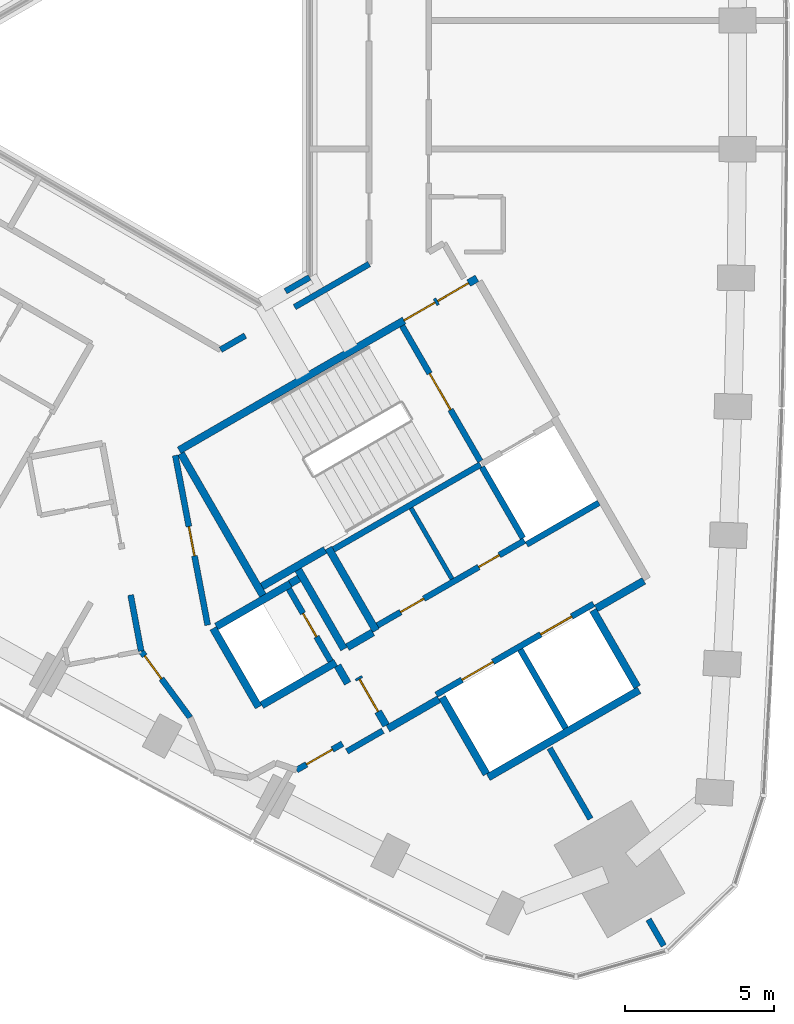
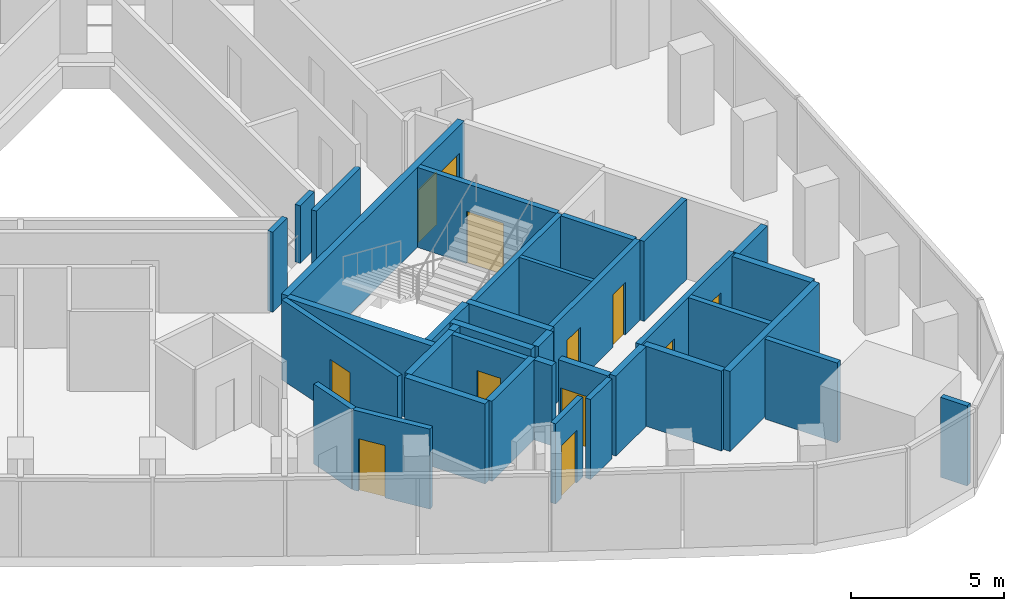
# One storey, part 9 of 13: 36 walls, 12 doors, 12 openings.
"""IFC4 building model written with IfcOpenShell, lengths in metres."""

from ifc_helpers import new_model, si_unit, direction, frame, frame_2d, origin, place, context, subcontext, project, spatial, rectangle, extrude, material, layer, layer_set, type_object, element, fill, save


model = new_model("IFC4")

# Units and contexts
model_context = context("Model", 3, precision=1e-05, world=origin(), true_north=direction((0.0, 1.0)))
body_context = subcontext(model_context, "Body", "Model", "MODEL_VIEW")
ifc_project = project(units=[si_unit("LENGTHUNIT", "METRE"), si_unit("AREAUNIT", "SQUARE_METRE"), si_unit("VOLUMEUNIT", "CUBIC_METRE"), si_unit("PLANEANGLEUNIT", "RADIAN"), si_unit("MASSUNIT", "GRAM", prefix="KILO")], contexts=[model_context])

# Site, building, storey
site_placement = place(None, origin())
site = spatial("IfcSite", under=ifc_project, at=site_placement, CompositionType="ELEMENT")
building_placement = place(site_placement, origin())
building = spatial("IfcBuilding", under=site, at=building_placement, Name="Tamra Quay Hotel Tower", CompositionType="ELEMENT")
storey_placement = place(building_placement, frame((0.0, 0.0, 132.39990234375)))
storey = spatial("IfcBuildingStorey", under=building, at=storey_placement, Name="L32", CompositionType="ELEMENT", Elevation=132.39990234375)

# Wall, openings, doors
ifc_material_1 = material(Name="Concrete M70", Category="concrete")
ifc_layer_1 = layer(ifc_material_1, 0.199951171875)
ifc_layer_set_1 = layer_set([ifc_layer_1], Name="Concrete M70 core wall 200")
wall_type_1 = type_object("IfcWallType", Name="Concrete M70 core wall 200", PredefinedType="SHEAR", material=ifc_layer_set_1)
wall_1_placement = place(storey_placement, frame((9.052490234375, -20.479736328125, 0.0), z_axis=(0.0, 0.0, 1.0), x_axis=(0.866030299012, 0.499991521122, 0.0)))
wall_1 = element("IfcWall", 1, at=wall_1_placement, inside=storey, type_object=wall_type_1, Name="CW2", PredefinedType="SHEAR", context=body_context, shape_type="SweptSolid", body=[
    extrude(rectangle(XDim=6.10009765625, YDim=0.199951171875, at=frame_2d((3.050048828125, 0.0))), origin(), (0.0, 0.0, 1.0), 3.2001953125),
])
opening_1_placement = place(wall_1_placement, frame((1.0, 0.0, 0.0)))
opening_1 = element("IfcOpeningElement", 2, at=opening_1_placement, cuts=wall_1, Name="Opening LD", PredefinedType="OPENING", context=body_context, shape_type="SweptSolid", body=[
    extrude(rectangle(XDim=1.199951171875, YDim=2.10009765625, at=frame_2d((0.60009765625, 1.050048828125))), frame((0.0, 0.10986328125, 0.0), z_axis=(0.0, -1.0, 0.0), x_axis=(1.0, 0.0, 0.0)), (0.0, 0.0, 1.0), 0.219970703125),
])
opening_2_placement = place(wall_1_placement, frame((4.05029296875, 0.0, 0.0)))
opening_2 = element("IfcOpeningElement", 3, at=opening_2_placement, cuts=wall_1, Name="Opening LD", PredefinedType="OPENING", context=body_context, shape_type="SweptSolid", body=[
    extrude(rectangle(XDim=1.199951171875, YDim=2.10009765625, at=frame_2d((0.60009765625, 1.050048828125))), frame((0.0, 0.10986328125, 0.0), z_axis=(0.0, -1.0, 0.0), x_axis=(1.0, 0.0, 0.0)), (0.0, 0.0, 1.0), 0.219970703125),
])
ifc_material_2 = material(Name="Landing door LD 1200 double door sliding")
door_type_1 = type_object("IfcDoorType", Name="Landing door LD 1200 double door sliding", OperationType="DOUBLE_DOOR_SLIDING", PredefinedType="DOOR", material=ifc_material_2)
door_1_placement = place(opening_1_placement, origin())
door_1 = element("IfcDoor", 4, at=door_1_placement, inside=storey, type_object=door_type_1, Name="LD", OperationType="DOUBLE_DOOR_SLIDING", OverallHeight=2.10009765625, OverallWidth=1.199951171875, PredefinedType="DOOR", context=body_context, shape_type="SweptSolid", body=[
    extrude(rectangle(XDim=1.199951171875, YDim=2.10009765625, at=frame_2d((0.60009765625, 1.050048828125))), frame((0.0, 0.02490234375, 0.0), z_axis=(0.0, -1.0, 0.0), x_axis=(1.0, 0.0, 0.0)), (0.0, 0.0, 1.0), 0.050048828125),
])
fill(opening_1, door_1)
door_2_placement = place(opening_2_placement, origin())
door_2 = element("IfcDoor", 5, at=door_2_placement, inside=storey, type_object=door_type_1, Name="LD", OperationType="DOUBLE_DOOR_SLIDING", OverallHeight=2.10009765625, OverallWidth=1.199951171875, PredefinedType="DOOR", context=body_context, shape_type="SweptSolid", body=[
    extrude(rectangle(XDim=1.199951171875, YDim=2.10009765625, at=frame_2d((0.60009765625, 1.050048828125))), frame((0.0, 0.02490234375, 0.0), z_axis=(0.0, -1.0, 0.0), x_axis=(1.0, 0.0, 0.0)), (0.0, 0.0, 1.0), 0.050048828125),
])
fill(opening_2, door_2)

# Wall
wall_2_placement = place(storey_placement, frame((10.537841796875, -12.751953125, 0.0), z_axis=(0.0, 0.0, 1.0), x_axis=(-0.866038630372, -0.499977090179, 0.0)))
element("IfcWall", 6, at=wall_2_placement, inside=storey, type_object=wall_type_1, Name="CW2", PredefinedType="SHEAR", context=body_context, shape_type="SweptSolid", body=[
    extrude(rectangle(XDim=5.698974609375, YDim=0.199951171875, at=frame_2d((2.849609375, 0.0))), origin(), (0.0, 0.0, 1.0), 3.2001953125),
])

# Wall, openings, doors
wall_3_placement = place(storey_placement, frame((7.0771484375, -18.156005859375, 0.0), z_axis=(0.0, 0.0, 1.0), x_axis=(0.866038630372, 0.499977090179, 0.0)))
wall_3 = element("IfcWall", 7, at=wall_3_placement, inside=storey, type_object=wall_type_1, Name="CW2", PredefinedType="SHEAR", context=body_context, shape_type="SweptSolid", body=[
    extrude(rectangle(XDim=5.698974609375, YDim=0.199951171875, at=frame_2d((2.849609375, 0.0))), origin(), (0.0, 0.0, 1.0), 3.2001953125),
])
opening_3_placement = place(wall_3_placement, frame((0.89892578125, 0.0, 0.0)))
opening_3 = element("IfcOpeningElement", 8, at=opening_3_placement, cuts=wall_3, Name="Opening D2", PredefinedType="OPENING", context=body_context, shape_type="SweptSolid", body=[
    extrude(rectangle(XDim=0.89990234375, YDim=2.10009765625, at=frame_2d((0.449951171875, 1.050048828125))), frame((0.0, 0.10986328125, 0.0), z_axis=(0.0, -1.0, 0.0), x_axis=(1.0, 0.0, 0.0)), (0.0, 0.0, 1.0), 0.219970703125),
])
opening_4_placement = place(wall_3_placement, frame((3.924072265625, 0.0, 0.0)))
opening_4 = element("IfcOpeningElement", 9, at=opening_4_placement, cuts=wall_3, Name="Opening D3", PredefinedType="OPENING", context=body_context, shape_type="SweptSolid", body=[
    extrude(rectangle(XDim=0.800048828125, YDim=2.10009765625, at=frame_2d((0.39990234375, 1.050048828125))), frame((0.0, 0.10986328125, 0.0), z_axis=(0.0, -1.0, 0.0), x_axis=(1.0, 0.0, 0.0)), (0.0, 0.0, 1.0), 0.219970703125),
])
ifc_material_3 = material(Name="Core door D2 900x2100 RH")
door_type_2 = type_object("IfcDoorType", Name="Core door D2 900x2100 RH", OperationType="NOTDEFINED", PredefinedType="DOOR", material=ifc_material_3)
door_3_placement = place(opening_3_placement, origin())
door_3 = element("IfcDoor", 10, at=door_3_placement, inside=storey, type_object=door_type_2, Name="D2", OperationType="SINGLE_SWING_RIGHT", OverallHeight=2.10009765625, OverallWidth=0.89990234375, PredefinedType="DOOR", context=body_context, shape_type="SweptSolid", body=[
    extrude(rectangle(XDim=0.89990234375, YDim=2.10009765625, at=frame_2d((0.449951171875, 1.050048828125))), frame((0.0, 0.02490234375, 0.0), z_axis=(0.0, -1.0, 0.0), x_axis=(1.0, 0.0, 0.0)), (0.0, 0.0, 1.0), 0.050048828125),
])
fill(opening_3, door_3)
ifc_material_4 = material(Name="Core door D3 800x2100 LH")
door_type_3 = type_object("IfcDoorType", Name="Core door D3 800x2100 LH", OperationType="NOTDEFINED", PredefinedType="DOOR", material=ifc_material_4)
door_4_placement = place(opening_4_placement, origin())
door_4 = element("IfcDoor", 11, at=door_4_placement, inside=storey, type_object=door_type_3, Name="D3", OperationType="SINGLE_SWING_LEFT", OverallHeight=2.10009765625, OverallWidth=0.800048828125, PredefinedType="DOOR", context=body_context, shape_type="SweptSolid", body=[
    extrude(rectangle(XDim=0.800048828125, YDim=2.10009765625, at=frame_2d((0.39990234375, 1.050048828125))), frame((0.0, 0.02490234375, 0.0), z_axis=(0.0, -1.0, 0.0), x_axis=(1.0, 0.0, 0.0)), (0.0, 0.0, 1.0), 0.050048828125),
])
fill(opening_4, door_4)

# Wall, opening, door
wall_4_placement = place(storey_placement, frame((7.906494140625, -8.094482421875, 0.0), z_axis=(0.0, 0.0, 1.0), x_axis=(0.500024287448, -0.866011380966, 0.0)))
wall_4 = element("IfcWall", 12, at=wall_4_placement, inside=storey, type_object=wall_type_1, Name="CW2", PredefinedType="SHEAR", context=body_context, shape_type="SweptSolid", body=[
    extrude(rectangle(XDim=5.251220703125, YDim=0.199951171875, at=frame_2d((2.62548828125, 0.0))), origin(), (0.0, 0.0, 1.0), 3.2001953125),
])
opening_5_placement = place(wall_4_placement, frame((1.84912109375, 0.0, 0.0)))
opening_5 = element("IfcOpeningElement", 13, at=opening_5_placement, cuts=wall_4, Name="Opening FD2", PredefinedType="OPENING", context=body_context, shape_type="SweptSolid", body=[
    extrude(rectangle(XDim=1.39990234375, YDim=2.10009765625, at=frame_2d((0.699951171875, 1.050048828125))), frame((0.0, 0.10986328125, 0.0), z_axis=(0.0, -1.0, 0.0), x_axis=(1.0, 0.0, 0.0)), (0.0, 0.0, 1.0), 0.219970703125),
])
ifc_material_5 = material(Name="Core door FD2 1400x2100 LH")
door_type_4 = type_object("IfcDoorType", Name="Core door FD2 1400x2100 LH", OperationType="NOTDEFINED", PredefinedType="DOOR", material=ifc_material_5)
door_5_placement = place(opening_5_placement, origin())
door_5 = element("IfcDoor", 14, at=door_5_placement, inside=storey, type_object=door_type_4, Name="FD2", OperationType="SINGLE_SWING_LEFT", OverallHeight=2.10009765625, OverallWidth=1.39990234375, PredefinedType="DOOR", context=body_context, shape_type="SweptSolid", body=[
    extrude(rectangle(XDim=1.39990234375, YDim=2.10009765625, at=frame_2d((0.699951171875, 1.050048828125))), frame((0.0, 0.02490234375, 0.0), z_axis=(0.0, -1.0, 0.0), x_axis=(1.0, 0.0, 0.0)), (0.0, 0.0, 1.0), 0.050048828125),
])
fill(opening_5, door_5)

# Wall
wall_5_placement = place(storey_placement, frame((11.87451171875, -18.967041015625, 0.0), z_axis=(0.0, 0.0, 1.0), x_axis=(0.49998131003, -0.866036194175, 0.0)))
element("IfcWall", 15, at=wall_5_placement, inside=storey, type_object=wall_type_1, Name="CW2", PredefinedType="SHEAR", context=body_context, shape_type="SweptSolid", body=[
    extrude(rectangle(XDim=3.0478515625, YDim=0.199951171875, at=frame_2d((1.52392578125, 0.0))), origin(), (0.0, 0.0, 1.0), 3.2001953125),
])

# Wall, opening, door
wall_6_placement = place(storey_placement, frame((5.50341796875, -19.352294921875, 0.0), z_axis=(0.0, 0.0, 1.0), x_axis=(-0.499986818241, 0.866033014143, 0.0)))
wall_6 = element("IfcWall", 16, at=wall_6_placement, inside=storey, type_object=wall_type_1, Name="CW2", PredefinedType="SHEAR", context=body_context, shape_type="SweptSolid", body=[
    extrude(rectangle(XDim=2.7978515625, YDim=0.199951171875, at=frame_2d((1.39892578125, 0.0))), origin(), (0.0, 0.0, 1.0), 3.2001953125),
])
opening_6_placement = place(wall_6_placement, frame((0.948974609375, 0.0, 0.0)))
opening_6 = element("IfcOpeningElement", 17, at=opening_6_placement, cuts=wall_6, Name="Opening D1", PredefinedType="OPENING", context=body_context, shape_type="SweptSolid", body=[
    extrude(rectangle(XDim=0.89990234375, YDim=2.10009765625, at=frame_2d((0.449951171875, 1.050048828125))), frame((0.0, 0.10986328125, 0.0), z_axis=(0.0, -1.0, 0.0), x_axis=(1.0, 0.0, 0.0)), (0.0, 0.0, 1.0), 0.219970703125),
])
ifc_material_6 = material(Name="Core door D1 900x2100 RH")
door_type_5 = type_object("IfcDoorType", Name="Core door D1 900x2100 RH", OperationType="NOTDEFINED", PredefinedType="DOOR", material=ifc_material_6)
door_6_placement = place(opening_6_placement, origin())
door_6 = element("IfcDoor", 18, at=door_6_placement, inside=storey, type_object=door_type_5, Name="D1", OperationType="SINGLE_SWING_RIGHT", OverallHeight=2.10009765625, OverallWidth=0.89990234375, PredefinedType="DOOR", context=body_context, shape_type="SweptSolid", body=[
    extrude(rectangle(XDim=0.89990234375, YDim=2.10009765625, at=frame_2d((0.449951171875, 1.050048828125))), frame((0.0, 0.02490234375, 0.0), z_axis=(0.0, -1.0, 0.0), x_axis=(1.0, 0.0, 0.0)), (0.0, 0.0, 1.0), 0.050048828125),
])
fill(opening_6, door_6)

# Walls
wall_7_placement = place(storey_placement, frame((11.962646484375, -15.219970703125, 0.0), z_axis=(0.0, 0.0, 1.0), x_axis=(-0.500034990121, 0.866005201286, 0.0)))
element("IfcWall", 19, at=wall_7_placement, inside=storey, type_object=wall_type_1, Name="CW2", PredefinedType="SHEAR", context=body_context, shape_type="SweptSolid", body=[
    extrude(rectangle(XDim=2.749755859375, YDim=0.199951171875, at=frame_2d((1.375, 0.0))), origin(), (0.0, 0.0, 1.0), 3.2001953125),
])
wall_8_placement = place(storey_placement, frame((14.51171875, -14.037109375, 0.0), z_axis=(0.0, 0.0, 1.0), x_axis=(-0.866044696403, -0.499966582715, 0.0)))
element("IfcWall", 20, at=wall_8_placement, inside=storey, type_object=wall_type_1, Name="CW2", PredefinedType="SHEAR", context=body_context, shape_type="SweptSolid", body=[
    extrude(rectangle(XDim=2.799072265625, YDim=0.199951171875, at=frame_2d((1.3994140625, 0.0))), origin(), (0.0, 0.0, 1.0), 3.2001953125),
])

# Wall, openings, doors
ifc_layer_2 = layer(ifc_material_1, 0.25)
ifc_layer_set_2 = layer_set([ifc_layer_2], Name="Concrete M70 core wall 250")
wall_type_2 = type_object("IfcWallType", Name="Concrete M70 core wall 250", PredefinedType="SHEAR", material=ifc_layer_set_2)
wall_9_placement = place(storey_placement, frame((0.417236328125, -12.27294921875, 0.0), z_axis=(0.0, 0.0, 1.0), x_axis=(0.866021906294, 0.500006057782, 0.0)))
wall_9 = element("IfcWall", 21, at=wall_9_placement, inside=storey, type_object=wall_type_2, Name="CW1", PredefinedType="SHEAR", context=body_context, shape_type="SweptSolid", body=[
    extrude(rectangle(XDim=11.550048828125, YDim=0.25, at=frame_2d((5.77490234375, 0.0))), origin(), (0.0, 0.0, 1.0), 3.2001953125),
])
opening_7_placement = place(wall_9_placement, frame((10.024658203125, 0.0, 0.0)))
opening_7 = element("IfcOpeningElement", 22, at=opening_7_placement, cuts=wall_9, Name="Opening FD1", PredefinedType="OPENING", context=body_context, shape_type="SweptSolid", body=[
    extrude(rectangle(XDim=1.199951171875, YDim=2.10009765625, at=frame_2d((0.60009765625, 1.050048828125))), frame((0.0, 0.135009765625, 0.0), z_axis=(0.0, -1.0, 0.0), x_axis=(1.0, 0.0, 0.0)), (0.0, 0.0, 1.0), 0.27001953125),
])
opening_8_placement = place(wall_9_placement, frame((8.724609375, 0.0, 0.0)))
opening_8 = element("IfcOpeningElement", 23, at=opening_8_placement, cuts=wall_9, Name="Opening FD1", PredefinedType="OPENING", context=body_context, shape_type="SweptSolid", body=[
    extrude(rectangle(XDim=1.199951171875, YDim=2.10009765625, at=frame_2d((0.60009765625, 1.050048828125))), frame((0.0, 0.135009765625, 0.0), z_axis=(0.0, -1.0, 0.0), x_axis=(1.0, 0.0, 0.0)), (0.0, 0.0, 1.0), 0.27001953125),
])
ifc_material_7 = material(Name="Core door FD1 1200x2100 LH")
door_type_6 = type_object("IfcDoorType", Name="Core door FD1 1200x2100 LH", OperationType="NOTDEFINED", PredefinedType="DOOR", material=ifc_material_7)
door_7_placement = place(opening_7_placement, origin())
door_7 = element("IfcDoor", 24, at=door_7_placement, inside=storey, type_object=door_type_6, Name="FD1", OperationType="SINGLE_SWING_LEFT", OverallHeight=2.10009765625, OverallWidth=1.199951171875, PredefinedType="DOOR", context=body_context, shape_type="SweptSolid", body=[
    extrude(rectangle(XDim=1.199951171875, YDim=2.10009765625, at=frame_2d((0.60009765625, 1.050048828125))), frame((0.0, 0.02490234375, 0.0), z_axis=(0.0, -1.0, 0.0), x_axis=(1.0, 0.0, 0.0)), (0.0, 0.0, 1.0), 0.050048828125),
])
fill(opening_7, door_7)
ifc_material_8 = material(Name="Core door FD1 1200x2100 RH")
door_type_7 = type_object("IfcDoorType", Name="Core door FD1 1200x2100 RH", OperationType="NOTDEFINED", PredefinedType="DOOR", material=ifc_material_8)
door_8_placement = place(opening_8_placement, origin())
door_8 = element("IfcDoor", 25, at=door_8_placement, inside=storey, type_object=door_type_7, Name="FD1", OperationType="SINGLE_SWING_RIGHT", OverallHeight=2.10009765625, OverallWidth=1.199951171875, PredefinedType="DOOR", context=body_context, shape_type="SweptSolid", body=[
    extrude(rectangle(XDim=1.199951171875, YDim=2.10009765625, at=frame_2d((0.60009765625, 1.050048828125))), frame((0.0, 0.02490234375, 0.0), z_axis=(0.0, -1.0, 0.0), x_axis=(1.0, 0.0, 0.0)), (0.0, 0.0, 1.0), 0.050048828125),
])
fill(opening_8, door_8)

# Walls
wall_10_placement = place(storey_placement, frame((15.86474609375, -20.328369140625, 0.0), z_axis=(0.0, 0.0, 1.0), x_axis=(-0.86602852612, -0.499994591916, 0.0)))
element("IfcWall", 26, at=wall_10_placement, inside=storey, type_object=wall_type_2, Name="CW1", PredefinedType="SHEAR", context=body_context, shape_type="SweptSolid", body=[
    extrude(rectangle(XDim=5.85009765625, YDim=0.25, at=frame_2d((2.925048828125, 0.0))), origin(), (0.0, 0.0, 1.0), 3.2001953125),
])
wall_11_placement = place(storey_placement, frame((3.23486328125, -17.15283203125, 0.0), z_axis=(0.0, 0.0, 1.0), x_axis=(-0.500008851346, 0.866020293397, 0.0)))
element("IfcWall", 27, at=wall_11_placement, inside=storey, type_object=wall_type_2, Name="CW1", PredefinedType="SHEAR", context=body_context, shape_type="SweptSolid", body=[
    extrude(rectangle(XDim=5.509765625, YDim=0.25, at=frame_2d((2.7548828125, 0.0))), origin(), (0.0, 0.0, 1.0), 3.2001953125),
])
wall_12_placement = place(storey_placement, frame((7.030517578125, -18.327392578125, 0.0), z_axis=(0.0, 0.0, 1.0), x_axis=(-0.499971222258, 0.866042017984, 0.0)))
element("IfcWall", 28, at=wall_12_placement, inside=storey, type_object=wall_type_2, Name="CW1", PredefinedType="SHEAR", context=body_context, shape_type="SweptSolid", body=[
    extrude(rectangle(XDim=3.199951171875, YDim=0.25, at=frame_2d((1.60009765625, 0.0))), origin(), (0.0, 0.0, 1.0), 3.2001953125),
])
for number, where, z_axis, x_axis, name in (
    (29, (14.314697265625, -17.643798828125, 0.0), (0.0, 0.0, 1.0), (0.500023226632, -0.866011993467, 0.0), "CW1"),
    (30, (10.73583984375, -23.144775390625, 0.0), (0.0, 0.0, 1.0), (-0.500023226632, 0.866011993467, 0.0), "CW1"),
):
    element("IfcWall", number, at=place(storey_placement, frame(where, z_axis=z_axis, x_axis=x_axis)), inside=storey, type_object=wall_type_2, Name=name, PredefinedType="SHEAR", context=body_context, shape_type="SweptSolid", body=[
        extrude(rectangle(XDim=2.974365234375, YDim=0.25, at=frame_2d((1.4873046875, 0.0))), origin(), (0.0, 0.0, 1.0), 3.2001953125),
    ])
wall_13_placement = place(storey_placement, frame((3.085205078125, -20.893798828125, 0.0), z_axis=(0.0, 0.0, 1.0), x_axis=(-0.499978833458, 0.866037623948, 0.0)))
element("IfcWall", 31, at=wall_13_placement, inside=storey, type_object=wall_type_2, Name="CW1", PredefinedType="SHEAR", context=body_context, shape_type="SweptSolid", body=[
    extrude(rectangle(XDim=3.050048828125, YDim=0.25, at=frame_2d((1.52490234375, 0.0))), origin(), (0.0, 0.0, 1.0), 3.2001953125),
])
wall_14_placement = place(storey_placement, frame((1.6689453125, -18.189697265625, 0.0), z_axis=(0.0, 0.0, 1.0), x_axis=(0.866042235819, 0.499970844928, 0.0)))
element("IfcWall", 32, at=wall_14_placement, inside=storey, type_object=wall_type_2, Name="CW1", PredefinedType="SHEAR", context=body_context, shape_type="SweptSolid", body=[
    extrude(rectangle(XDim=2.864501953125, YDim=0.25, at=frame_2d((1.43212890625, 0.0))), origin(), (0.0, 0.0, 1.0), 3.2001953125),
])
wall_15_placement = place(storey_placement, frame((5.6748046875, -19.39892578125, 0.0), z_axis=(0.0, 0.0, 1.0), x_axis=(-0.866026637627, -0.499997862916, 0.0)))
element("IfcWall", 33, at=wall_15_placement, inside=storey, type_object=wall_type_2, Name="CW1", PredefinedType="SHEAR", context=body_context, shape_type="SweptSolid", body=[
    extrude(rectangle(XDim=2.86474609375, YDim=0.25, at=frame_2d((1.432373046875, 0.0))), origin(), (0.0, 0.0, 1.0), 3.2001953125),
])
wall_16_placement = place(storey_placement, frame((4.414306640625, -16.275634765625, 0.0), z_axis=(0.0, 0.0, 1.0), x_axis=(0.500003324108, -0.866023484601, 0.0)))
element("IfcWall", 34, at=wall_16_placement, inside=storey, type_object=wall_type_2, Name="CW1", PredefinedType="SHEAR", context=body_context, shape_type="SweptSolid", body=[
    extrude(rectangle(XDim=3.0849609375, YDim=0.25, at=frame_2d((1.54248046875, 0.0))), origin(), (0.0, 0.0, 1.0), 3.2001953125),
])
wall_17_placement = place(storey_placement, frame((5.322021484375, -15.618896484375, 0.0), z_axis=(0.0, 0.0, 1.0), x_axis=(-0.866026229868, -0.499998569178, 0.0)))
element("IfcWall", 35, at=wall_17_placement, inside=storey, type_object=wall_type_2, Name="CW1", PredefinedType="SHEAR", context=body_context, shape_type="SweptSolid", body=[
    extrude(rectangle(XDim=2.44921875, YDim=0.25, at=frame_2d((1.224609375, 0.0))), origin(), (0.0, 0.0, 1.0), 3.2001953125),
])
wall_18_placement = place(storey_placement, frame((9.139892578125, -20.63134765625, 0.0), z_axis=(0.0, 0.0, 1.0), x_axis=(-0.866043531843, -0.499968599967, 0.0)))
element("IfcWall", 36, at=wall_18_placement, inside=storey, type_object=wall_type_2, Name="CW1", PredefinedType="SHEAR", context=body_context, shape_type="SweptSolid", body=[
    extrude(rectangle(XDim=1.974853515625, YDim=0.25, at=frame_2d((0.9873046875, 0.0))), origin(), (0.0, 0.0, 1.0), 3.2001953125),
])
wall_19_placement = place(storey_placement, frame((16.024658203125, -16.656494140625, 0.0), z_axis=(0.0, 0.0, 1.0), x_axis=(-0.866016279763, -0.500015802937, 0.0)))
element("IfcWall", 37, at=wall_19_placement, inside=storey, type_object=wall_type_2, Name="CW1", PredefinedType="SHEAR", context=body_context, shape_type="SweptSolid", body=[
    extrude(rectangle(XDim=1.84912109375, YDim=0.25, at=frame_2d((0.924560546875, 0.0))), origin(), (0.0, 0.0, 1.0), 3.2001953125),
])

# Wall, opening, door
wall_20_placement = place(storey_placement, frame((7.3671875, -21.51025390625, 0.0), z_axis=(0.0, 0.0, 1.0), x_axis=(-0.499983108224, 0.866035156036, 0.0)))
wall_20 = element("IfcWall", 38, at=wall_20_placement, inside=storey, type_object=wall_type_2, Name="CW1", PredefinedType="SHEAR", context=body_context, shape_type="SweptSolid", body=[
    extrude(rectangle(XDim=1.86474609375, YDim=0.25, at=frame_2d((0.932373046875, 0.0))), origin(), (0.0, 0.0, 1.0), 3.2001953125),
])
opening_9_placement = place(wall_20_placement, frame((0.53466796875, 0.0, 0.0)))
opening_9 = element("IfcOpeningElement", 39, at=opening_9_placement, cuts=wall_20, Name="Opening FD3", PredefinedType="OPENING", context=body_context, shape_type="SweptSolid", body=[
    extrude(rectangle(XDim=1.25, YDim=2.10009765625, at=frame_2d((0.625, 1.050048828125))), frame((0.0, 0.135009765625, 0.0), z_axis=(0.0, -1.0, 0.0), x_axis=(1.0, 0.0, 0.0)), (0.0, 0.0, 1.0), 0.27001953125),
])
ifc_material_9 = material(Name="Core door FD3 1250x2100 LH")
door_type_8 = type_object("IfcDoorType", Name="Core door FD3 1250x2100 LH", OperationType="NOTDEFINED", PredefinedType="DOOR", material=ifc_material_9)
door_9_placement = place(opening_9_placement, origin())
door_9 = element("IfcDoor", 40, at=door_9_placement, inside=storey, type_object=door_type_8, Name="FD3", OperationType="SINGLE_SWING_LEFT", OverallHeight=2.10009765625, OverallWidth=1.25, PredefinedType="DOOR", context=body_context, shape_type="SweptSolid", body=[
    extrude(rectangle(XDim=1.25, YDim=2.10009765625, at=frame_2d((0.625, 1.050048828125))), frame((0.0, 0.02490234375, 0.0), z_axis=(0.0, -1.0, 0.0), x_axis=(1.0, 0.0, 0.0)), (0.0, 0.0, 1.0), 0.050048828125),
])
fill(opening_9, door_9)

# Walls
wall_21_placement = place(storey_placement, frame((6.0654296875, -18.884765625, 0.0), z_axis=(0.0, 0.0, 1.0), x_axis=(0.866017078145, 0.500014420154, 0.0)))
element("IfcWall", 41, at=wall_21_placement, inside=storey, type_object=wall_type_2, Name="CW1", PredefinedType="SHEAR", context=body_context, shape_type="SweptSolid", body=[
    extrude(rectangle(XDim=0.9892578125, YDim=0.25, at=frame_2d((0.49462890625, 0.0))), origin(), (0.0, 0.0, 1.0), 3.2001953125),
])
wall_22_placement = place(storey_placement, frame((6.07958984375, -20.100341796875, 0.0), z_axis=(0.0, 0.0, 1.0), x_axis=(-0.500051773299, 0.865995510393, 0.0)))
element("IfcWall", 42, at=wall_22_placement, inside=storey, type_object=wall_type_2, Name="CW1", PredefinedType="SHEAR", context=body_context, shape_type="SweptSolid", body=[
    extrude(rectangle(XDim=0.6845703125, YDim=0.25, at=frame_2d((0.34228515625, 0.0))), origin(), (0.0, 0.0, 1.0), 3.2001953125),
])
wall_23_placement = place(storey_placement, frame((4.144775390625, -16.748779296875, 0.0), z_axis=(0.0, 0.0, 1.0), x_axis=(0.866185586049, 0.49972245349, 0.0)))
element("IfcWall", 43, at=wall_23_placement, inside=storey, type_object=wall_type_2, Name="CW1", PredefinedType="SHEAR", context=body_context, shape_type="SweptSolid", body=[
    extrude(rectangle(XDim=0.344482421875, YDim=0.25, at=frame_2d((0.17236328125, 0.0))), origin(), (0.0, 0.0, 1.0), 3.2001953125),
])
ifc_material_10 = material(Name="Blockwork", Category="masonry")
ifc_layer_3 = layer(ifc_material_10, 0.14990234375)
ifc_layer_set_3 = layer_set([ifc_layer_3], Name="Core partition block 150")
wall_type_3 = type_object("IfcWallType", Name="Core partition block 150", PredefinedType="PARTITIONING", material=ifc_layer_set_3)
wall_24_placement = place(storey_placement, frame((8.20654296875, -14.214111328125, 0.0), z_axis=(0.0, 0.0, 1.0), x_axis=(0.50002746344, -0.86600954718, 0.0)))
element("IfcWall", 44, at=wall_24_placement, inside=storey, type_object=wall_type_3, Name="CP1", PredefinedType="PARTITIONING", context=body_context, shape_type="SweptSolid", body=[
    extrude(rectangle(XDim=2.748291015625, YDim=0.14990234375, at=frame_2d((1.3740234375, 0.0))), origin(), (0.0, 0.0, 1.0), 3.2001953125),
])
ifc_material_11 = material(Name="Partition corridor wall")
ifc_layer_4 = layer(ifc_material_11, 0.199951171875)
ifc_layer_set_4 = layer_set([ifc_layer_4], Name="Partition corridor wall")
wall_type_4 = type_object("IfcWallType", Name="Partition corridor wall", PredefinedType="PARTITIONING", material=ifc_layer_set_4)
wall_25_placement = place(storey_placement, frame((-1.210205078125, -17.131103515625, 0.0), z_axis=(0.0, 0.0, 1.0), x_axis=(0.183950101319, -0.982935582948, 0.0)))
element("IfcWall", 45, at=wall_25_placement, inside=storey, type_object=wall_type_4, Name="W-C", PredefinedType="PARTITIONING", context=body_context, shape_type="SweptSolid", body=[
    extrude(rectangle(XDim=1.91650390625, YDim=0.199951171875, at=frame_2d((0.958251953125, 0.0))), origin(), (0.0, 0.0, 1.0), 3.2001953125),
])

# Wall, opening, door
wall_26_placement = place(storey_placement, frame((-0.85791015625, -19.01611328125, 0.0), z_axis=(0.0, 0.0, 1.0), x_axis=(0.593123867414, -0.805111220829, 0.0)))
wall_26 = element("IfcWall", 46, at=wall_26_placement, inside=storey, type_object=wall_type_4, Name="W-C", PredefinedType="PARTITIONING", context=body_context, shape_type="SweptSolid", body=[
    extrude(rectangle(XDim=2.769775390625, YDim=0.199951171875, at=frame_2d((1.384765625, 0.0))), origin(), (0.0, 0.0, 1.0), 3.2001953125),
])
opening_10_placement = place(wall_26_placement, frame((0.199951171875, 0.0, 0.0)))
opening_10 = element("IfcOpeningElement", 47, at=opening_10_placement, cuts=wall_26, Name="Opening L32-D021", PredefinedType="OPENING", context=body_context, shape_type="SweptSolid", body=[
    extrude(rectangle(XDim=0.949951171875, YDim=2.10009765625, at=frame_2d((0.47509765625, 1.050048828125))), frame((0.0, 0.10986328125, 0.0), z_axis=(0.0, -1.0, 0.0), x_axis=(1.0, 0.0, 0.0)), (0.0, 0.0, 1.0), 0.219970703125),
])
ifc_material_12 = material(Name="Door guest room 950x2100")
door_type_9 = type_object("IfcDoorType", Name="Door guest room 950x2100", OperationType="NOTDEFINED", PredefinedType="DOOR", material=ifc_material_12)
door_10_placement = place(opening_10_placement, frame((0.949951171875, 0.0, 0.0), z_axis=(0.0, 0.0, 1.0), x_axis=(-1.0, 0.0, 0.0)))
door_10 = element("IfcDoor", 48, at=door_10_placement, inside=storey, type_object=door_type_9, Name="L32-D021", OperationType="SINGLE_SWING_LEFT", OverallHeight=2.10009765625, OverallWidth=0.949951171875, PredefinedType="DOOR", context=body_context, shape_type="SweptSolid", body=[
    extrude(rectangle(XDim=0.949951171875, YDim=2.10009765625, at=frame_2d((0.47509765625, 1.050048828125))), frame((0.0, 0.02490234375, 0.0), z_axis=(0.0, -1.0, 0.0), x_axis=(1.0, 0.0, 0.0)), (0.0, 0.0, 1.0), 0.050048828125),
])
fill(opening_10, door_10)

wall_27_placement = place(storey_placement, frame((0.2890625, -12.445068359375, 0.0), z_axis=(0.0, 0.0, 1.0), x_axis=(0.187668946952, -0.982232338273, 0.0)))
wall_27 = element("IfcWall", 49, at=wall_27_placement, inside=storey, type_object=wall_type_4, Name="W-C", PredefinedType="PARTITIONING", context=body_context, shape_type="SweptSolid", body=[
    extrude(rectangle(XDim=5.802001953125, YDim=0.199951171875, at=frame_2d((2.90087890625, 0.0))), origin(), (0.0, 0.0, 1.0), 3.2001953125),
])
opening_11_placement = place(wall_27_placement, frame((2.43310546875, 0.0, 0.0)))
opening_11 = element("IfcOpeningElement", 50, at=opening_11_placement, cuts=wall_27, Name="Opening L32-D020", PredefinedType="OPENING", context=body_context, shape_type="SweptSolid", body=[
    extrude(rectangle(XDim=1.0, YDim=2.10009765625, at=frame_2d((0.5, 1.050048828125))), frame((0.0, 0.10986328125, 0.0), z_axis=(0.0, -1.0, 0.0), x_axis=(1.0, 0.0, 0.0)), (0.0, 0.0, 1.0), 0.219970703125),
])
ifc_material_13 = material(Name="Door guest room 1000x2100")
door_type_10 = type_object("IfcDoorType", Name="Door guest room 1000x2100", OperationType="NOTDEFINED", PredefinedType="DOOR", material=ifc_material_13)
door_11_placement = place(opening_11_placement, origin())
door_11 = element("IfcDoor", 51, at=door_11_placement, inside=storey, type_object=door_type_10, Name="L32-D020", OperationType="SINGLE_SWING_LEFT", OverallHeight=2.10009765625, OverallWidth=1.0, PredefinedType="DOOR", context=body_context, shape_type="SweptSolid", body=[
    extrude(rectangle(XDim=1.0, YDim=2.10009765625, at=frame_2d((0.5, 1.050048828125))), frame((0.0, 0.02490234375, 0.0), z_axis=(0.0, -1.0, 0.0), x_axis=(1.0, 0.0, 0.0)), (0.0, 0.0, 1.0), 0.050048828125),
])
fill(opening_11, door_11)

# Walls
wall_28_placement = place(storey_placement, frame((1.812255859375, -8.8984375, 0.0), z_axis=(0.0, 0.0, 1.0), x_axis=(0.866108878364, 0.499855389907, 0.0)))
element("IfcWall", 52, at=wall_28_placement, inside=storey, type_object=wall_type_4, Name="W-C", PredefinedType="PARTITIONING", context=body_context, shape_type="SweptSolid", body=[
    extrude(rectangle(XDim=0.953857421875, YDim=0.199951171875, at=frame_2d((0.47705078125, 0.0))), origin(), (0.0, 0.0, 1.0), 3.2001953125),
])
wall_29_placement = place(storey_placement, frame((4.297119140625, -7.464111328125, 0.0), z_axis=(0.0, 0.0, 1.0), x_axis=(0.86602521942, 0.500000319328, 0.0)))
element("IfcWall", 53, at=wall_29_placement, inside=storey, type_object=wall_type_4, Name="W-C", PredefinedType="PARTITIONING", context=body_context, shape_type="SweptSolid", body=[
    extrude(rectangle(XDim=2.89013671875, YDim=0.199951171875, at=frame_2d((1.445068359375, 0.0))), origin(), (0.0, 0.0, 1.0), 2.300048828125),
])

# Wall, opening, door
wall_30_placement = place(storey_placement, frame((4.362060546875, -23.011962890625, 0.0), z_axis=(0.0, 0.0, 1.0), x_axis=(0.866692617793, 0.49884256661, 0.0)))
wall_30 = element("IfcWall", 54, at=wall_30_placement, inside=storey, type_object=wall_type_4, Name="W-C", PredefinedType="PARTITIONING", context=body_context, shape_type="SweptSolid", body=[
    extrude(rectangle(XDim=1.778076171875, YDim=0.199951171875, at=frame_2d((0.88916015625, 0.0))), origin(), (0.0, 0.0, 1.0), 3.2001953125),
])
opening_12_placement = place(wall_30_placement, frame((0.388916015625, 0.0, 0.0)))
opening_12 = element("IfcOpeningElement", 55, at=opening_12_placement, cuts=wall_30, Name="Opening L32-D023", PredefinedType="OPENING", context=body_context, shape_type="SweptSolid", body=[
    extrude(rectangle(XDim=1.0, YDim=2.10009765625, at=frame_2d((0.5, 1.050048828125))), frame((0.0, 0.10986328125, 0.0), z_axis=(0.0, -1.0, 0.0), x_axis=(1.0, 0.0, 0.0)), (0.0, 0.0, 1.0), 0.219970703125),
])
door_12_placement = place(opening_12_placement, frame((1.0, 0.0, 0.0), z_axis=(0.0, 0.0, 1.0), x_axis=(-1.0, 0.0, 0.0)))
door_12 = element("IfcDoor", 56, at=door_12_placement, inside=storey, type_object=door_type_10, Name="L32-D023", OperationType="SINGLE_SWING_LEFT", OverallHeight=2.10009765625, OverallWidth=1.0, PredefinedType="DOOR", context=body_context, shape_type="SweptSolid", body=[
    extrude(rectangle(XDim=1.0, YDim=2.10009765625, at=frame_2d((0.5, 1.050048828125))), frame((0.0, 0.02490234375, 0.0), z_axis=(0.0, -1.0, 0.0), x_axis=(1.0, 0.0, 0.0)), (0.0, 0.0, 1.0), 0.050048828125),
])
fill(opening_12, door_12)

# Walls
wall_31_placement = place(storey_placement, frame((6.053955078125, -22.385009765625, 0.0), z_axis=(0.0, 0.0, 1.0), x_axis=(0.86593101922, 0.500163443238, 0.0)))
element("IfcWall", 57, at=wall_31_placement, inside=storey, type_object=wall_type_4, Name="W-C", PredefinedType="PARTITIONING", context=body_context, shape_type="SweptSolid", body=[
    extrude(rectangle(XDim=1.3896484375, YDim=0.199951171875, at=frame_2d((0.69482421875, 0.0))), origin(), (0.0, 0.0, 1.0), 3.2001953125),
])
ifc_material_14 = material(Name="Partition party wall")
ifc_layer_5 = layer(ifc_material_14, 0.199951171875)
ifc_layer_set_5 = layer_set([ifc_layer_5], Name="Partition party wall")
wall_type_5 = type_object("IfcWallType", Name="Partition party wall", PredefinedType="PARTITIONING", material=ifc_layer_set_5)
wall_32_placement = place(storey_placement, frame((3.989990234375, -6.93408203125, 0.0), z_axis=(0.0, 0.0, 1.0), x_axis=(0.865872609263, 0.500264554538, 0.0)))
element("IfcWall", 58, at=wall_32_placement, inside=storey, type_object=wall_type_5, Name="W-P", PredefinedType="PARTITIONING", context=body_context, shape_type="SweptSolid", body=[
    extrude(rectangle(XDim=0.935546875, YDim=0.199951171875, at=frame_2d((0.4677734375, 0.0))), origin(), (0.0, 0.0, 1.0), 2.300048828125),
])
wall_33_placement = place(storey_placement, frame((12.861083984375, -22.276123046875, 0.0), z_axis=(0.0, 0.0, 1.0), x_axis=(0.49982784299, -0.866124775868, 0.0)))
element("IfcWall", 59, at=wall_33_placement, inside=storey, type_object=wall_type_5, Name="W-P", PredefinedType="PARTITIONING", context=body_context, shape_type="SweptSolid", body=[
    extrude(rectangle(XDim=2.74072265625, YDim=0.199951171875, at=frame_2d((1.370361328125, 0.0))), origin(), (0.0, 0.0, 1.0), 3.2001953125),
])
wall_34_placement = place(storey_placement, frame((16.181884765625, -28.028076171875, 0.0), z_axis=(0.0, 0.0, 1.0), x_axis=(0.499625455419, -0.866241539236, 0.0)))
element("IfcWall", 60, at=wall_34_placement, inside=storey, type_object=wall_type_5, Name="W-P", PredefinedType="PARTITIONING", context=body_context, shape_type="SweptSolid", body=[
    extrude(rectangle(XDim=1.016845703125, YDim=0.199951171875, at=frame_2d((0.50830078125, 0.0))), origin(), (0.0, 0.0, 1.0), 3.2001953125),
])

save(model, "model.ifc")
